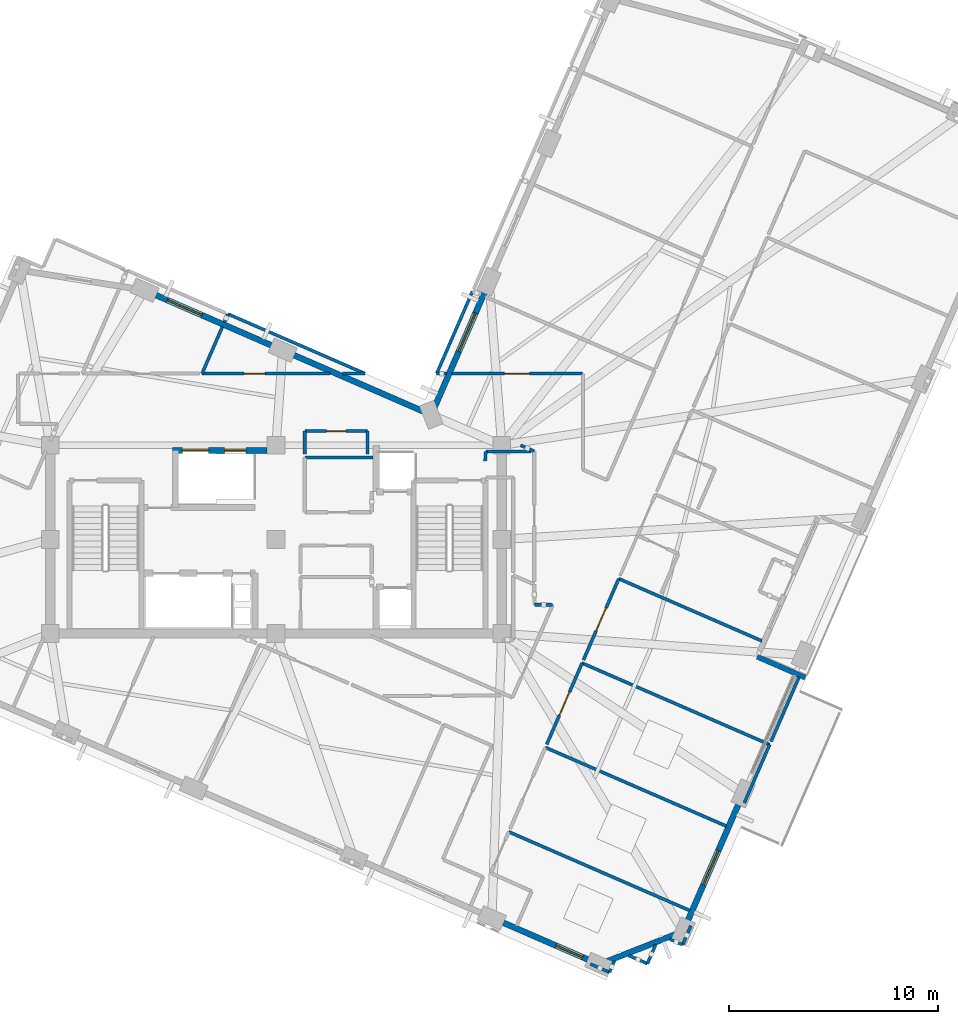
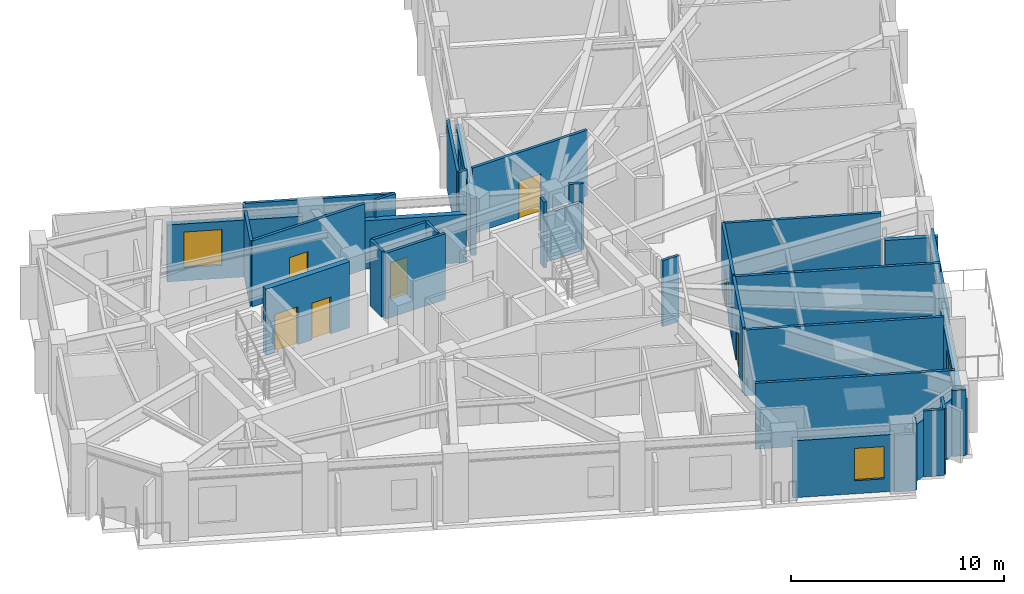
# One storey, part 7 of 12: 38 walls, 7 doors, 4 windows, 11 openings.
"""IFC4 building model written with IfcOpenShell, lengths in metres."""

from ifc_helpers import new_model, si_unit, direction, frame, frame_2d, origin, place, context, subcontext, project, spatial, rectangle, extrude, material, layer, layer_set, type_object, element, fill, save


model = new_model("IFC4")

# Units and contexts
model_context = context("Model", 3, precision=1e-05, world=origin(), true_north=direction((0.0, 1.0)))
body_context = subcontext(model_context, "Body", "Model", "MODEL_VIEW")
ifc_project = project(units=[si_unit("LENGTHUNIT", "METRE"), si_unit("AREAUNIT", "SQUARE_METRE"), si_unit("VOLUMEUNIT", "CUBIC_METRE"), si_unit("PLANEANGLEUNIT", "RADIAN"), si_unit("MASSUNIT", "GRAM", prefix="KILO")], contexts=[model_context])

# Site, building, storey
site_placement = place(None, origin())
site = spatial("IfcSite", under=ifc_project, at=site_placement, CompositionType="ELEMENT")
building_placement = place(site_placement, origin())
building = spatial("IfcBuilding", under=site, at=building_placement, Name="Gaonmaruhae Medical Tower", CompositionType="ELEMENT")
storey_placement = place(building_placement, frame((0.0, 0.0, 320.60009765625)))
storey = spatial("IfcBuildingStorey", under=building, at=storey_placement, Name="L77", CompositionType="ELEMENT", Elevation=320.60009765625)

# Wall
ifc_material_1 = material(Name="Precast concrete C45/55", Category="concrete")
ifc_layer_1 = layer(ifc_material_1, 0.239990234375)
ifc_layer_set_1 = layer_set([ifc_layer_1], Name="Precast concrete C45/55")
wall_type_1 = type_object("IfcWallType", Name="EW-240 Ribbon & Shelter Insulated Precast Wall", PredefinedType="SOLIDWALL", material=ifc_layer_set_1)
wall_1_placement = place(storey_placement, frame((47.81689453125, 6.687744140625, 0.0), z_axis=(0.0, 0.0, 1.0), x_axis=(0.917071608779, -0.398722540586, 0.0)))
element("IfcWall", 1, at=wall_1_placement, inside=storey, type_object=wall_type_1, Name="L77 Recessed Terrace Enclosure Wall TERL", PredefinedType="SOLIDWALL", context=body_context, shape_type="SweptSolid", body=[
    extrude(rectangle(XDim=2.5, YDim=0.239990234375, at=frame_2d((1.25, 0.0))), origin(), (0.0, 0.0, 1.0), 2.764892578125),
])

# Wall, opening, window
ifc_layer_2 = layer(ifc_material_1, 0.280029296875)
ifc_layer_set_2 = layer_set([ifc_layer_2], Name="Precast concrete C45/55")
wall_type_2 = type_object("IfcWallType", Name="EW-280 Upper Precast Masonry-Frame Facade Wall", PredefinedType="SOLIDWALL", material=ifc_layer_set_2)
wall_2_placement = place(storey_placement, frame((46.987548828125, -0.210205078125, 0.0), z_axis=(0.0, 0.0, 1.0), x_axis=(-0.398744230651, -0.917062178112, 0.0)))
wall_2 = element("IfcWall", 2, at=wall_2_placement, inside=storey, type_object=wall_type_2, Name="L77 Precast Masonry-Frame Wall S01-S02", PredefinedType="SOLIDWALL", context=body_context, shape_type="SweptSolid", body=[
    extrude(rectangle(XDim=6.405029296875, YDim=0.280029296875, at=frame_2d((3.20263671875, 0.0))), origin(), (0.0, 0.0, 1.0), 3.264892578125),
])
opening_1_placement = place(wall_2_placement, frame((2.58251953125, 0.0, 0.75)))
opening_1 = element("IfcOpeningElement", 3, at=opening_1_placement, cuts=wall_2, Name="Opening WN-04", PredefinedType="OPENING", context=body_context, shape_type="SweptSolid", body=[
    extrude(rectangle(XDim=1.800048828125, YDim=2.050048828125, at=frame_2d((0.89990234375, 1.02490234375))), frame((0.0, 0.14990234375, 0.0), z_axis=(0.0, -1.0, 0.0), x_axis=(1.0, 0.0, 0.0)), (0.0, 0.0, 1.0), 0.300048828125),
])
ifc_material_2 = material(Name="Anodised aluminium and Low-E double glazing", Category="aluminium")
window_type_1 = type_object("IfcWindowType", Name="WN-04 Clinic & Consult Punched Window 1800x2050", PartitioningType="SINGLE_PANEL", PredefinedType="WINDOW", material=ifc_material_2)
window_1_placement = place(opening_1_placement, origin())
window_1 = element("IfcWindow", 4, at=window_1_placement, inside=storey, type_object=window_type_1, Name="L77 Modular Facade Window S01", OverallHeight=2.050048828125, OverallWidth=1.800048828125, PartitioningType="SINGLE_PANEL", PredefinedType="WINDOW", context=body_context, shape_type="SweptSolid", body=[
    extrude(rectangle(XDim=1.800048828125, YDim=2.050048828125, at=frame_2d((0.89990234375, 1.02490234375))), frame((0.0, 0.030029296875, 0.0), z_axis=(0.0, -1.0, 0.0), x_axis=(1.0, 0.0, 0.0)), (0.0, 0.0, 1.0), 0.06005859375),
])
fill(opening_1, window_1)

wall_3_placement = place(storey_placement, frame((32.384765625, 18.619384765625, 0.0), z_axis=(0.0, 0.0, 1.0), x_axis=(0.398753668733, 0.917058074318, 0.0)))
wall_3 = element("IfcWall", 5, at=wall_3_placement, inside=storey, type_object=wall_type_2, Name="L77 Precast Masonry-Frame Wall EN02-KN01", PredefinedType="SOLIDWALL", context=body_context, shape_type="SweptSolid", body=[
    extrude(rectangle(XDim=6.155029296875, YDim=0.280029296875, at=frame_2d((3.07763671875, 0.0))), origin(), (0.0, 0.0, 1.0), 3.264892578125),
])
opening_2_placement = place(wall_3_placement, frame((2.90380859375, 0.0, 0.75)))
opening_2 = element("IfcOpeningElement", 6, at=opening_2_placement, cuts=wall_3, Name="Opening WN-02", PredefinedType="OPENING", context=body_context, shape_type="SweptSolid", body=[
    extrude(rectangle(XDim=2.0, YDim=1.949951171875, at=frame_2d((1.0, 0.97509765625))), frame((0.0, 0.14990234375, 0.0), z_axis=(0.0, -1.0, 0.0), x_axis=(1.0, 0.0, 0.0)), (0.0, 0.0, 1.0), 0.300048828125),
])
window_type_2 = type_object("IfcWindowType", Name="WN-02 Double-Bed Ward Punched Window 2000x1950", PartitioningType="SINGLE_PANEL", PredefinedType="WINDOW", material=ifc_material_2)
window_2_placement = place(opening_2_placement, origin())
window_2 = element("IfcWindow", 7, at=window_2_placement, inside=storey, type_object=window_type_2, Name="L77 Modular Facade Window EN02", OverallHeight=1.949951171875, OverallWidth=2.0, PartitioningType="SINGLE_PANEL", PredefinedType="WINDOW", context=body_context, shape_type="SweptSolid", body=[
    extrude(rectangle(XDim=2.0, YDim=1.949951171875, at=frame_2d((1.0, 0.97509765625))), frame((0.0, 0.030029296875, 0.0), z_axis=(0.0, -1.0, 0.0), x_axis=(1.0, 0.0, 0.0)), (0.0, 0.0, 1.0), 0.06005859375),
])
fill(opening_2, window_2)

# Wall
wall_4_placement = place(storey_placement, frame((25.483642578125, 21.186767578125, 0.0), z_axis=(0.0, 0.0, 1.0), x_axis=(0.917060568388, -0.398747932794, 0.0)))
element("IfcWall", 8, at=wall_4_placement, inside=storey, type_object=wall_type_2, Name="L77 Precast Masonry-Frame Wall KN01-NE01", PredefinedType="SOLIDWALL", context=body_context, shape_type="SweptSolid", body=[
    extrude(rectangle(XDim=6.954833984375, YDim=0.280029296875, at=frame_2d((3.4775390625, 0.0))), origin(), (0.0, 0.0, 1.0), 2.764892578125),
])

# Wall, opening, window
wall_5_placement = place(storey_placement, frame((18.880859375, 24.0576171875, 0.0), z_axis=(0.0, 0.0, 1.0), x_axis=(0.917070056253, -0.398726111414, 0.0)))
wall_5 = element("IfcWall", 9, at=wall_5_placement, inside=storey, type_object=wall_type_2, Name="L77 Precast Masonry-Frame Wall NE01-NE02", PredefinedType="SOLIDWALL", context=body_context, shape_type="SweptSolid", body=[
    extrude(rectangle(XDim=6.40478515625, YDim=0.280029296875, at=frame_2d((3.202392578125, 0.0))), origin(), (0.0, 0.0, 1.0), 3.264892578125),
])
opening_3_placement = place(wall_5_placement, frame((0.791259765625, 0.0, 0.75)))
opening_3 = element("IfcOpeningElement", 10, at=opening_3_placement, cuts=wall_5, Name="Opening WN-04", PredefinedType="OPENING", context=body_context, shape_type="SweptSolid", body=[
    extrude(rectangle(XDim=1.800048828125, YDim=2.050048828125, at=frame_2d((0.89990234375, 1.02490234375))), frame((0.0, 0.14990234375, 0.0), z_axis=(0.0, -1.0, 0.0), x_axis=(1.0, 0.0, 0.0)), (0.0, 0.0, 1.0), 0.300048828125),
])
window_3_placement = place(opening_3_placement, origin())
window_3 = element("IfcWindow", 11, at=window_3_placement, inside=storey, type_object=window_type_1, Name="L77 Modular Facade Window NE01", OverallHeight=2.050048828125, OverallWidth=1.800048828125, PartitioningType="SINGLE_PANEL", PredefinedType="WINDOW", context=body_context, shape_type="SweptSolid", body=[
    extrude(rectangle(XDim=1.800048828125, YDim=2.050048828125, at=frame_2d((0.89990234375, 1.02490234375))), frame((0.0, 0.030029296875, 0.0), z_axis=(0.0, -1.0, 0.0), x_axis=(1.0, 0.0, 0.0)), (0.0, 0.0, 1.0), 0.06005859375),
])
fill(opening_3, window_3)

wall_6_placement = place(storey_placement, frame((39.897216796875, -7.870849609375, 0.0), z_axis=(0.0, 0.0, 1.0), x_axis=(-0.917050667534, 0.398770702505, 0.0)))
wall_6 = element("IfcWall", 12, at=wall_6_placement, inside=storey, type_object=wall_type_2, Name="L77 Precast Masonry-Frame Wall W05-W06", PredefinedType="SOLIDWALL", context=body_context, shape_type="SweptSolid", body=[
    extrude(rectangle(XDim=4.8046875, YDim=0.280029296875, at=frame_2d((2.40234375, 0.0))), origin(), (0.0, 0.0, 1.0), 3.264892578125),
])
opening_4_placement = place(wall_6_placement, frame((0.469970703125, 0.0, 0.75)))
opening_4 = element("IfcOpeningElement", 13, at=opening_4_placement, cuts=wall_6, Name="Opening WN-03", PredefinedType="OPENING", context=body_context, shape_type="SweptSolid", body=[
    extrude(rectangle(XDim=1.39990234375, YDim=1.85009765625, at=frame_2d((0.699951171875, 0.925048828125))), frame((0.0, 0.14990234375, 0.0), z_axis=(0.0, -1.0, 0.0), x_axis=(1.0, 0.0, 0.0)), (0.0, 0.0, 1.0), 0.300048828125),
])
window_type_3 = type_object("IfcWindowType", Name="WN-03 Isolation Ward Punched Window 1400x1850", PartitioningType="SINGLE_PANEL", PredefinedType="WINDOW", material=ifc_material_2)
window_4_placement = place(opening_4_placement, origin())
window_4 = element("IfcWindow", 14, at=window_4_placement, inside=storey, type_object=window_type_3, Name="L77 Patient Bedroom Window L77-BR01", OverallHeight=1.85009765625, OverallWidth=1.39990234375, PartitioningType="SINGLE_PANEL", PredefinedType="WINDOW", context=body_context, shape_type="SweptSolid", body=[
    extrude(rectangle(XDim=1.39990234375, YDim=1.85009765625, at=frame_2d((0.699951171875, 0.925048828125))), frame((0.0, 0.030029296875, 0.0), z_axis=(0.0, -1.0, 0.0), x_axis=(1.0, 0.0, 0.0)), (0.0, 0.0, 1.0), 0.06005859375),
])
fill(opening_4, window_4)

# Walls
wall_7_placement = place(storey_placement, frame((43.9052734375, -6.593994140625, 0.0), z_axis=(0.0, 0.0, 1.0), x_axis=(-0.930406958637, -0.366528158974, 0.0)))
element("IfcWall", 15, at=wall_7_placement, inside=storey, type_object=wall_type_2, Name="L77 Precast Masonry-Frame Wall W06-S01", PredefinedType="SOLIDWALL", context=body_context, shape_type="SweptSolid", body=[
    extrude(rectangle(XDim=3.518310546875, YDim=0.280029296875, at=frame_2d((1.75927734375, 0.0))), origin(), (0.0, 0.0, 1.0), 3.264892578125),
])
ifc_material_3 = material(Name="Gypsum board partition", Category="gypsum")
ifc_layer_3 = layer(ifc_material_3, 0.14990234375)
ifc_layer_set_3 = layer_set([ifc_layer_3], Name="Gypsum board partition")
wall_type_3 = type_object("IfcWallType", Name="PW-150 Rated Clinical Corridor Partition", PredefinedType="PARTITIONING", material=ifc_layer_set_3)
wall_8_placement = place(storey_placement, frame((26.179931640625, 16.219970703125, 0.0), z_axis=(0.0, 0.0, 1.0), x_axis=(1.0, 0.0, 0.0)))
element("IfcWall", 16, at=wall_8_placement, inside=storey, type_object=wall_type_3, Name="L77 Interior Partition L77-RCL2-8", PredefinedType="PARTITIONING", context=body_context, shape_type="SweptSolid", body=[
    extrude(rectangle(XDim=3.260009765625, YDim=0.14990234375, at=frame_2d((1.6298828125, 0.0))), origin(), (0.0, 0.0, 1.0), 3.77978515625),
])
wall_9_placement = place(storey_placement, frame((26.179931640625, 16.3798828125, 0.0), z_axis=(0.0, 0.0, 1.0), x_axis=(0.0, 1.0, 0.0)))
element("IfcWall", 17, at=wall_9_placement, inside=storey, type_object=wall_type_3, Name="L77 Interior Partition L77-CS2-11", PredefinedType="PARTITIONING", context=body_context, shape_type="SweptSolid", body=[
    extrude(rectangle(XDim=1.10009765625, YDim=0.14990234375, at=frame_2d((0.550048828125, 0.0))), origin(), (0.0, 0.0, 1.0), 3.77978515625),
])

# Wall, opening, door
wall_10_placement = place(storey_placement, frame((26.179931640625, 17.47998046875, 0.0), z_axis=(0.0, 0.0, 1.0), x_axis=(1.0, 0.0, 0.0)))
wall_10 = element("IfcWall", 18, at=wall_10_placement, inside=storey, type_object=wall_type_3, Name="L77 Interior Partition L77-CS2-12", PredefinedType="PARTITIONING", context=body_context, shape_type="SweptSolid", body=[
    extrude(rectangle(XDim=3.0, YDim=0.14990234375, at=frame_2d((1.5, 0.0))), origin(), (0.0, 0.0, 1.0), 3.77978515625),
])
opening_5_placement = place(wall_10_placement, frame((1.0400390625, 0.0, 0.0)))
opening_5 = element("IfcOpeningElement", 19, at=opening_5_placement, cuts=wall_10, Name="Opening UD-01", PredefinedType="OPENING", context=body_context, shape_type="SweptSolid", body=[
    extrude(rectangle(XDim=0.919921875, YDim=2.10009765625, at=frame_2d((0.4599609375, 1.050048828125))), frame((0.0, 0.0849609375, 0.0), z_axis=(0.0, -1.0, 0.0), x_axis=(1.0, 0.0, 0.0)), (0.0, 0.0, 1.0), 0.169921875),
])
ifc_material_4 = material(Name="Powder-coated steel utility door", Category="steel")
door_type_1 = type_object("IfcDoorType", Name="UD-01 Toilet, Utility & Housekeeping Door 920x2100", OperationType="NOTDEFINED", PredefinedType="DOOR", material=ifc_material_4)
door_1_placement = place(opening_5_placement, origin())
door_1 = element("IfcDoor", 20, at=door_1_placement, inside=storey, type_object=door_type_1, Name="L77 Biomedical Telemetry Closet Door", OperationType="SINGLE_SWING_LEFT", OverallHeight=2.10009765625, OverallWidth=0.919921875, PredefinedType="DOOR", context=body_context, shape_type="SweptSolid", body=[
    extrude(rectangle(XDim=0.919921875, YDim=2.10009765625, at=frame_2d((0.4599609375, 1.050048828125))), frame((0.0, 0.02490234375, 0.0), z_axis=(0.0, -1.0, 0.0), x_axis=(1.0, 0.0, 0.0)), (0.0, 0.0, 1.0), 0.050048828125),
])
fill(opening_5, door_1)

# Walls
wall_11_placement = place(storey_placement, frame((29.179931640625, 17.47998046875, 0.0), z_axis=(0.0, 0.0, 1.0), x_axis=(0.0, -1.0, 0.0)))
element("IfcWall", 21, at=wall_11_placement, inside=storey, type_object=wall_type_3, Name="L77 Interior Partition L77-CS2-13", PredefinedType="PARTITIONING", context=body_context, shape_type="SweptSolid", body=[
    extrude(rectangle(XDim=1.10009765625, YDim=0.14990234375, at=frame_2d((0.550048828125, 0.0))), origin(), (0.0, 0.0, 1.0), 3.77978515625),
])
wall_12_placement = place(storey_placement, frame((35.931884765625, -1.68701171875, 0.0), z_axis=(0.0, 0.0, 1.0), x_axis=(0.917117358566, -0.398617298443, 0.0)))
element("IfcWall", 22, at=wall_12_placement, inside=storey, type_object=wall_type_3, Name="L77 Interior Partition L77-BR01-16", PredefinedType="PARTITIONING", context=body_context, shape_type="SweptSolid", body=[
    extrude(rectangle(XDim=9.43505859375, YDim=0.14990234375, at=frame_2d((4.717529296875, 0.0))), origin(), (0.0, 0.0, 1.0), 3.77978515625),
])
wall_13_placement = place(storey_placement, frame((44.64501953125, -6.176025390625, 0.0), z_axis=(0.0, 0.0, 1.0), x_axis=(-0.399173799485, -0.916875279307, 0.0)))
element("IfcWall", 23, at=wall_13_placement, inside=storey, type_object=wall_type_3, Name="L77 Interior Partition L77-BR01-17", PredefinedType="PARTITIONING", context=body_context, shape_type="SweptSolid", body=[
    extrude(rectangle(XDim=0.996826171875, YDim=0.14990234375, at=frame_2d((0.49853515625, 0.0))), origin(), (0.0, 0.0, 1.0), 3.264892578125),
])
wall_14_placement = place(storey_placement, frame((44.2470703125, -7.090087890625, 0.0), z_axis=(0.0, 0.0, 1.0), x_axis=(-0.917070056253, 0.398726111414, 0.0)))
element("IfcWall", 24, at=wall_14_placement, inside=storey, type_object=wall_type_3, Name="L77 Interior Partition L77-BR01-18", PredefinedType="PARTITIONING", context=body_context, shape_type="SweptSolid", body=[
    extrude(rectangle(XDim=0.66748046875, YDim=0.14990234375, at=frame_2d((0.333740234375, 0.0))), origin(), (0.0, 0.0, 1.0), 3.77978515625),
])
wall_15_placement = place(storey_placement, frame((42.9609375, -7.090087890625, 0.0), z_axis=(0.0, 0.0, 1.0), x_axis=(-0.399196346623, -0.916865462782, 0.0)))
element("IfcWall", 25, at=wall_15_placement, inside=storey, type_object=wall_type_3, Name="L77 Interior Partition L77-BR01-19", PredefinedType="PARTITIONING", context=body_context, shape_type="SweptSolid", body=[
    extrude(rectangle(XDim=0.987060546875, YDim=0.14990234375, at=frame_2d((0.49365234375, 0.0))), origin(), (0.0, 0.0, 1.0), 3.77978515625),
])
wall_16_placement = place(storey_placement, frame((42.56689453125, -7.9951171875, 0.0), z_axis=(0.0, 0.0, 1.0), x_axis=(-0.917188054541, 0.398454605454, 0.0)))
element("IfcWall", 26, at=wall_16_placement, inside=storey, type_object=wall_type_3, Name="L77 Interior Partition L77-BR01-20", PredefinedType="PARTITIONING", context=body_context, shape_type="SweptSolid", body=[
    extrude(rectangle(XDim=0.986572265625, YDim=0.14990234375, at=frame_2d((0.4931640625, 0.0))), origin(), (0.0, 0.0, 1.0), 3.77978515625),
])
wall_17_placement = place(storey_placement, frame((40.986083984375, -7.867919921875, 0.0), z_axis=(0.0, 0.0, 1.0), x_axis=(-0.398984716546, -0.916957575879, 0.0)))
element("IfcWall", 27, at=wall_17_placement, inside=storey, type_object=wall_type_3, Name="L77 Interior Partition L77-BR01-21", PredefinedType="PARTITIONING", context=body_context, shape_type="SweptSolid", body=[
    extrude(rectangle(XDim=0.5869140625, YDim=0.14990234375, at=frame_2d((0.29345703125, 0.0))), origin(), (0.0, 0.0, 1.0), 3.77978515625),
])
wall_18_placement = place(storey_placement, frame((40.751953125, -8.406005859375, 0.0), z_axis=(0.0, 0.0, 1.0), x_axis=(-0.916875279307, 0.399173799485, 0.0)))
element("IfcWall", 28, at=wall_18_placement, inside=storey, type_object=wall_type_3, Name="L77 Interior Partition L77-BR01-22", PredefinedType="PARTITIONING", context=body_context, shape_type="SweptSolid", body=[
    extrude(rectangle(XDim=0.996826171875, YDim=0.14990234375, at=frame_2d((0.49853515625, 0.0))), origin(), (0.0, 0.0, 1.0), 3.264892578125),
])
wall_19_placement = place(storey_placement, frame((37.68603515625, 2.347900390625, 0.0), z_axis=(0.0, 0.0, 1.0), x_axis=(0.917079517358, -0.398704350167, 0.0)))
element("IfcWall", 29, at=wall_19_placement, inside=storey, type_object=wall_type_3, Name="L77 Interior Partition L77-SUP01-25", PredefinedType="PARTITIONING", context=body_context, shape_type="SweptSolid", body=[
    extrude(rectangle(XDim=9.435546875, YDim=0.14990234375, at=frame_2d((4.7177734375, 0.0))), origin(), (0.0, 0.0, 1.0), 3.77978515625),
])

# Wall, opening, door
wall_20_placement = place(storey_placement, frame((37.75, 2.4951171875, 0.0), z_axis=(0.0, 0.0, 1.0), x_axis=(0.398827178626, 0.917026107365, 0.0)))
wall_20 = element("IfcWall", 30, at=wall_20_placement, inside=storey, type_object=wall_type_3, Name="L77 Interior Partition L77-SUP02-26", PredefinedType="PARTITIONING", context=body_context, shape_type="SweptSolid", body=[
    extrude(rectangle(XDim=4.23974609375, YDim=0.14990234375, at=frame_2d((2.119873046875, 0.0))), origin(), (0.0, 0.0, 1.0), 3.77978515625),
])
opening_6_placement = place(wall_20_placement, frame((1.52001953125, 0.0, 0.0)))
opening_6 = element("IfcOpeningElement", 31, at=opening_6_placement, cuts=wall_20, Name="Opening CD-02", PredefinedType="OPENING", context=body_context, shape_type="SweptSolid", body=[
    extrude(rectangle(XDim=1.199951171875, YDim=2.14990234375, at=frame_2d((0.60009765625, 1.074951171875))), frame((0.0, 0.0849609375, 0.0), z_axis=(0.0, -1.0, 0.0), x_axis=(1.0, 0.0, 0.0)), (0.0, 0.0, 1.0), 0.169921875),
])
ifc_material_5 = material(Name="Antimicrobial laminate timber fire door", Category="wood")
door_type_2 = type_object("IfcDoorType", Name="CD-02 Clinical Treatment & Procedure Door 1200x2150", OperationType="NOTDEFINED", PredefinedType="DOOR", material=ifc_material_5)
door_2_placement = place(opening_6_placement, origin())
door_2 = element("IfcDoor", 32, at=door_2_placement, inside=storey, type_object=door_type_2, Name="L77 Clinical Biomedical Charting Office Door", OperationType="SINGLE_SWING_RIGHT", OverallHeight=2.14990234375, OverallWidth=1.199951171875, PredefinedType="DOOR", context=body_context, shape_type="SweptSolid", body=[
    extrude(rectangle(XDim=1.199951171875, YDim=2.14990234375, at=frame_2d((0.60009765625, 1.074951171875))), frame((0.0, 0.02490234375, 0.0), z_axis=(0.0, -1.0, 0.0), x_axis=(1.0, 0.0, 0.0)), (0.0, 0.0, 1.0), 0.050048828125),
])
fill(opening_6, door_2)

# Walls
wall_21_placement = place(storey_placement, frame((39.44091796875, 6.383056640625, 0.0), z_axis=(0.0, 0.0, 1.0), x_axis=(0.917084740053, -0.398692336973, 0.0)))
element("IfcWall", 33, at=wall_21_placement, inside=storey, type_object=wall_type_3, Name="L77 Interior Partition L77-SUP02-27", PredefinedType="PARTITIONING", context=body_context, shape_type="SweptSolid", body=[
    extrude(rectangle(XDim=9.77978515625, YDim=0.14990234375, at=frame_2d((4.889892578125, 0.0))), origin(), (0.0, 0.0, 1.0), 3.77978515625),
])
wall_22_placement = place(storey_placement, frame((48.409912109375, 2.48388671875, 0.0), z_axis=(0.0, 0.0, 1.0), x_axis=(-0.398637944736, -0.917108384553, 0.0)))
element("IfcWall", 34, at=wall_22_placement, inside=storey, type_object=wall_type_3, Name="L77 Interior Partition L77-SUP02-28", PredefinedType="PARTITIONING", context=body_context, shape_type="SweptSolid", body=[
    extrude(rectangle(XDim=3.03759765625, YDim=0.14990234375, at=frame_2d((1.518798828125, 0.0))), origin(), (0.0, 0.0, 1.0), 3.264892578125),
])
wall_23_placement = place(storey_placement, frame((49.81494140625, 5.715087890625, 0.0), z_axis=(0.0, 0.0, 1.0), x_axis=(-0.398582802327, -0.917132351239, 0.0)))
element("IfcWall", 35, at=wall_23_placement, inside=storey, type_object=wall_type_3, Name="L77 Interior Partition L77-SUP03-29", PredefinedType="PARTITIONING", context=body_context, shape_type="SweptSolid", body=[
    extrude(rectangle(XDim=3.364013671875, YDim=0.14990234375, at=frame_2d((1.68212890625, 0.0))), origin(), (0.0, 0.0, 1.0), 3.264892578125),
])

# Wall, opening, door
wall_24_placement = place(storey_placement, frame((39.5048828125, 6.530029296875, 0.0), z_axis=(0.0, 0.0, 1.0), x_axis=(0.398597683129, 0.917125883946, 0.0)))
wall_24 = element("IfcWall", 36, at=wall_24_placement, inside=storey, type_object=wall_type_3, Name="L77 Interior Partition L77-SUP03-30", PredefinedType="PARTITIONING", context=body_context, shape_type="SweptSolid", body=[
    extrude(rectangle(XDim=4.240234375, YDim=0.14990234375, at=frame_2d((2.1201171875, 0.0))), origin(), (0.0, 0.0, 1.0), 3.77978515625),
])
opening_7_placement = place(wall_24_placement, frame((1.520263671875, 0.0, 0.0)))
opening_7 = element("IfcOpeningElement", 37, at=opening_7_placement, cuts=wall_24, Name="Opening CD-02", PredefinedType="OPENING", context=body_context, shape_type="SweptSolid", body=[
    extrude(rectangle(XDim=1.199951171875, YDim=2.14990234375, at=frame_2d((0.60009765625, 1.074951171875))), frame((0.0, 0.0849609375, 0.0), z_axis=(0.0, -1.0, 0.0), x_axis=(1.0, 0.0, 0.0)), (0.0, 0.0, 1.0), 0.169921875),
])
door_3_placement = place(opening_7_placement, origin())
door_3 = element("IfcDoor", 38, at=door_3_placement, inside=storey, type_object=door_type_2, Name="L77 Clinical Biomedical Charting Office Door", OperationType="SINGLE_SWING_LEFT", OverallHeight=2.14990234375, OverallWidth=1.199951171875, PredefinedType="DOOR", context=body_context, shape_type="SweptSolid", body=[
    extrude(rectangle(XDim=1.199951171875, YDim=2.14990234375, at=frame_2d((0.60009765625, 1.074951171875))), frame((0.0, 0.02490234375, 0.0), z_axis=(0.0, -1.0, 0.0), x_axis=(1.0, 0.0, 0.0)), (0.0, 0.0, 1.0), 0.050048828125),
])
fill(opening_7, door_3)

# Walls
wall_25_placement = place(storey_placement, frame((41.195068359375, 10.4189453125, 0.0), z_axis=(0.0, 0.0, 1.0), x_axis=(0.917043017742, -0.398788294224, 0.0)))
element("IfcWall", 39, at=wall_25_placement, inside=storey, type_object=wall_type_3, Name="L77 Interior Partition L77-SUP03-31", PredefinedType="PARTITIONING", context=body_context, shape_type="SweptSolid", body=[
    extrude(rectangle(XDim=7.46533203125, YDim=0.14990234375, at=frame_2d((3.732666015625, 0.0))), origin(), (0.0, 0.0, 1.0), 3.77978515625),
])
wall_26_placement = place(storey_placement, frame((37.160888671875, 9.177001953125, 0.0), z_axis=(0.0, 0.0, 1.0), x_axis=(0.999967192089, -0.008100292897, 0.0)))
element("IfcWall", 40, at=wall_26_placement, inside=storey, type_object=wall_type_3, Name="L77 Interior Partition L77-IE01-85", PredefinedType="PARTITIONING", context=body_context, shape_type="SweptSolid", body=[
    extrude(rectangle(XDim=0.8740234375, YDim=0.14990234375, at=frame_2d((0.43701171875, 0.0))), origin(), (0.0, 0.0, 1.0), 3.77978515625),
])
wall_27_placement = place(storey_placement, frame((34.803955078125, 16.050048828125, 0.0), z_axis=(0.0, 0.0, 1.0), x_axis=(0.077896068279, 0.996961484987, 0.0)))
element("IfcWall", 41, at=wall_27_placement, inside=storey, type_object=wall_type_3, Name="L77 Interior Partition L77-IE02-90", PredefinedType="PARTITIONING", context=body_context, shape_type="SweptSolid", body=[
    extrude(rectangle(XDim=0.451416015625, YDim=0.14990234375, at=frame_2d((0.2255859375, 0.0))), origin(), (0.0, 0.0, 1.0), 3.77978515625),
])
wall_28_placement = place(storey_placement, frame((34.839111328125, 16.5, 0.0), z_axis=(0.0, 0.0, 1.0), x_axis=(1.0, 0.0, 0.0)))
element("IfcWall", 42, at=wall_28_placement, inside=storey, type_object=wall_type_3, Name="L77 Interior Partition L77-IE02-91", PredefinedType="PARTITIONING", context=body_context, shape_type="SweptSolid", body=[
    extrude(rectangle(XDim=2.15087890625, YDim=0.14990234375, at=frame_2d((1.075439453125, 0.0))), origin(), (0.0, 0.0, 1.0), 2.764892578125),
])
wall_29_placement = place(storey_placement, frame((36.5, 16.799072265625, 0.0), z_axis=(0.0, 0.0, 1.0), x_axis=(0.916867333156, -0.399192050762, 0.0)))
element("IfcWall", 43, at=wall_29_placement, inside=storey, type_object=wall_type_3, Name="L77 Interior Partition L77-IE02-92", PredefinedType="PARTITIONING", context=body_context, shape_type="SweptSolid", body=[
    extrude(rectangle(XDim=0.708740234375, YDim=0.14990234375, at=frame_2d((0.3544921875, 0.0))), origin(), (0.0, 0.0, 1.0), 3.77978515625),
])

# Wall, opening, door
wall_30_placement = place(storey_placement, frame((39.449951171875, 20.22998046875, 0.0), z_axis=(0.0, 0.0, 1.0), x_axis=(-1.0, 0.0, 0.0)))
wall_30 = element("IfcWall", 44, at=wall_30_placement, inside=storey, type_object=wall_type_3, Name="L77 Interior Partition L77-IE03-96", PredefinedType="PARTITIONING", context=body_context, shape_type="SweptSolid", body=[
    extrude(rectangle(XDim=6.239990234375, YDim=0.14990234375, at=frame_2d((3.1201171875, 0.0))), origin(), (0.0, 0.0, 1.0), 3.77978515625),
])
opening_8_placement = place(wall_30_placement, frame((2.52001953125, 0.0, 0.0)))
opening_8 = element("IfcOpeningElement", 45, at=opening_8_placement, cuts=wall_30, Name="Opening CD-02", PredefinedType="OPENING", context=body_context, shape_type="SweptSolid", body=[
    extrude(rectangle(XDim=1.199951171875, YDim=2.14990234375, at=frame_2d((0.60009765625, 1.074951171875))), frame((0.0, 0.0849609375, 0.0), z_axis=(0.0, -1.0, 0.0), x_axis=(1.0, 0.0, 0.0)), (0.0, 0.0, 1.0), 0.169921875),
])
door_4_placement = place(opening_8_placement, origin())
door_4 = element("IfcDoor", 46, at=door_4_placement, inside=storey, type_object=door_type_2, Name="L77 Clean Medication Preparation Room Door", OperationType="SINGLE_SWING_LEFT", OverallHeight=2.14990234375, OverallWidth=1.199951171875, PredefinedType="DOOR", context=body_context, shape_type="SweptSolid", body=[
    extrude(rectangle(XDim=1.199951171875, YDim=2.14990234375, at=frame_2d((0.60009765625, 1.074951171875))), frame((0.0, 0.02490234375, 0.0), z_axis=(0.0, -1.0, 0.0), x_axis=(1.0, 0.0, 0.0)), (0.0, 0.0, 1.0), 0.050048828125),
])
fill(opening_8, door_4)

# Walls
wall_31_placement = place(storey_placement, frame((32.9599609375, 20.22998046875, 0.0), z_axis=(0.0, 0.0, 1.0), x_axis=(-1.0, 0.0, 0.0)))
element("IfcWall", 47, at=wall_31_placement, inside=storey, type_object=wall_type_3, Name="L77 Interior Partition L77-IE03-97", PredefinedType="PARTITIONING", context=body_context, shape_type="SweptSolid", body=[
    extrude(rectangle(XDim=0.474853515625, YDim=0.14990234375, at=frame_2d((0.2373046875, 0.0))), origin(), (0.0, 0.0, 1.0), 3.77978515625),
])
wall_32_placement = place(storey_placement, frame((32.485107421875, 20.22998046875, 0.0), z_axis=(0.0, 0.0, 1.0), x_axis=(0.398784305347, 0.917044752348, 0.0)))
element("IfcWall", 48, at=wall_32_placement, inside=storey, type_object=wall_type_3, Name="L77 Interior Partition L77-IE03-98", PredefinedType="PARTITIONING", context=body_context, shape_type="SweptSolid", body=[
    extrude(rectangle(XDim=4.295166015625, YDim=0.14990234375, at=frame_2d((2.1474609375, 0.0))), origin(), (0.0, 0.0, 1.0), 3.77978515625),
])
wall_33_placement = place(storey_placement, frame((21.264892578125, 20.22998046875, 0.0), z_axis=(0.0, 0.0, 1.0), x_axis=(0.398842956111, 0.91701924536, 0.0)))
element("IfcWall", 49, at=wall_33_placement, inside=storey, type_object=wall_type_3, Name="L77 Interior Partition L77-IN01-117", PredefinedType="PARTITIONING", context=body_context, shape_type="SweptSolid", body=[
    extrude(rectangle(XDim=2.44482421875, YDim=0.14990234375, at=frame_2d((1.222412109375, 0.0))), origin(), (0.0, 0.0, 1.0), 3.77978515625),
])
wall_34_placement = place(storey_placement, frame((22.3310546875, 22.68310546875, 0.0), z_axis=(0.0, 0.0, 1.0), x_axis=(0.399464528742, 0.916748651636, 0.0)))
element("IfcWall", 50, at=wall_34_placement, inside=storey, type_object=wall_type_3, Name="L77 Interior Partition L77-IN01-118", PredefinedType="PARTITIONING", context=body_context, shape_type="SweptSolid", body=[
    extrude(rectangle(XDim=0.43505859375, YDim=0.14990234375, at=frame_2d((0.217529296875, 0.0))), origin(), (0.0, 0.0, 1.0), 3.77978515625),
])
wall_35_placement = place(storey_placement, frame((22.5048828125, 23.08203125, 0.0), z_axis=(0.0, 0.0, 1.0), x_axis=(0.917034231322, -0.398808498634, 0.0)))
element("IfcWall", 51, at=wall_35_placement, inside=storey, type_object=wall_type_3, Name="L77 Interior Partition L77-IN01-119", PredefinedType="PARTITIONING", context=body_context, shape_type="SweptSolid", body=[
    extrude(rectangle(XDim=7.1513671875, YDim=0.14990234375, at=frame_2d((3.57568359375, 0.0))), origin(), (0.0, 0.0, 1.0), 3.77978515625),
])
wall_36_placement = place(storey_placement, frame((29.06298828125, 20.22998046875, 0.0), z_axis=(0.0, 0.0, 1.0), x_axis=(-1.0, 0.0, 0.0)))
element("IfcWall", 52, at=wall_36_placement, inside=storey, type_object=wall_type_3, Name="L77 Interior Partition L77-IN01-120", PredefinedType="PARTITIONING", context=body_context, shape_type="SweptSolid", body=[
    extrude(rectangle(XDim=1.091064453125, YDim=0.14990234375, at=frame_2d((0.54541015625, 0.0))), origin(), (0.0, 0.0, 1.0), 3.77978515625),
])

# Wall, opening, door
wall_37_placement = place(storey_placement, frame((27.39501953125, 20.22998046875, 0.0), z_axis=(0.0, 0.0, 1.0), x_axis=(-1.0, 0.0, 0.0)))
wall_37 = element("IfcWall", 53, at=wall_37_placement, inside=storey, type_object=wall_type_3, Name="L77 Interior Partition L77-IN01-121", PredefinedType="PARTITIONING", context=body_context, shape_type="SweptSolid", body=[
    extrude(rectangle(XDim=6.130126953125, YDim=0.14990234375, at=frame_2d((3.06494140625, 0.0))), origin(), (0.0, 0.0, 1.0), 3.77978515625),
])
opening_9_placement = place(wall_37_placement, frame((3.11328125, 0.0, 0.0)))
opening_9 = element("IfcOpeningElement", 54, at=opening_9_placement, cuts=wall_37, Name="Opening CD-01", PredefinedType="OPENING", context=body_context, shape_type="SweptSolid", body=[
    extrude(rectangle(XDim=1.0, YDim=2.1201171875, at=frame_2d((0.5, 1.06005859375))), frame((0.0, 0.0849609375, 0.0), z_axis=(0.0, -1.0, 0.0), x_axis=(1.0, 0.0, 0.0)), (0.0, 0.0, 1.0), 0.169921875),
])
door_type_3 = type_object("IfcDoorType", Name="CD-01 Consultation & Physician Office Door 1000x2120", OperationType="NOTDEFINED", PredefinedType="DOOR", material=ifc_material_5)
door_5_placement = place(opening_9_placement, origin())
door_5 = element("IfcDoor", 55, at=door_5_placement, inside=storey, type_object=door_type_3, Name="L77 Physician Consultation Office Door", OperationType="SINGLE_SWING_RIGHT", OverallHeight=2.1201171875, OverallWidth=1.0, PredefinedType="DOOR", context=body_context, shape_type="SweptSolid", body=[
    extrude(rectangle(XDim=1.0, YDim=2.1201171875, at=frame_2d((0.5, 1.06005859375))), frame((0.0, 0.02490234375, 0.0), z_axis=(0.0, -1.0, 0.0), x_axis=(1.0, 0.0, 0.0)), (0.0, 0.0, 1.0), 0.050048828125),
])
fill(opening_9, door_5)

# Wall, openings, doors
ifc_material_6 = material(Name="Concrete C50/60", Category="concrete")
ifc_layer_4 = layer(ifc_material_6, 0.300048828125)
ifc_layer_set_4 = layer_set([ifc_layer_4], Name="Concrete C50/60")
wall_type_4 = type_object("IfcWallType", Name="SW-300 Stair & Lift Hoistway Shaft Wall", PredefinedType="SOLIDWALL", material=ifc_layer_set_4)
wall_38_placement = place(storey_placement, frame((19.85009765625, 16.550048828125, 0.0), z_axis=(0.0, 0.0, 1.0), x_axis=(1.0, 0.0, 0.0)))
wall_38 = element("IfcWall", 56, at=wall_38_placement, inside=storey, type_object=wall_type_4, Name="L77 Core Shear Wall CSW-NB", PredefinedType="SOLIDWALL", context=body_context, shape_type="SweptSolid", body=[
    extrude(rectangle(XDim=4.52490234375, YDim=0.300048828125, at=frame_2d((2.262451171875, 0.0))), origin(), (0.0, 0.0, 1.0), 3.77978515625),
])
opening_10_placement = place(wall_38_placement, frame((0.47509765625, 0.0, 0.0)))
opening_10 = element("IfcOpeningElement", 57, at=opening_10_placement, cuts=wall_38, Name="Opening LD-F1", PredefinedType="OPENING", context=body_context, shape_type="SweptSolid", body=[
    extrude(rectangle(XDim=1.25, YDim=2.179931640625, at=frame_2d((0.625, 1.08984375))), frame((0.0, 0.16015625, 0.0), z_axis=(0.0, -1.0, 0.0), x_axis=(1.0, 0.0, 0.0)), (0.0, 0.0, 1.0), 0.320068359375),
])
opening_11_placement = place(wall_38_placement, frame((2.489990234375, 0.0, 0.0)))
opening_11 = element("IfcOpeningElement", 58, at=opening_11_placement, cuts=wall_38, Name="Opening LD-S1", PredefinedType="OPENING", context=body_context, shape_type="SweptSolid", body=[
    extrude(rectangle(XDim=1.02001953125, YDim=2.1201171875, at=frame_2d((0.510009765625, 1.06005859375))), frame((0.0, 0.16015625, 0.0), z_axis=(0.0, -1.0, 0.0), x_axis=(1.0, 0.0, 0.0)), (0.0, 0.0, 1.0), 0.320068359375),
])
ifc_material_7 = material(Name="Brushed stainless steel 316L landing door", Category="steel")
door_type_4 = type_object("IfcDoorType", Name="LD-F1 Firefighting & Bed Lift Sliding Landing Door 1250x2180", OperationType="NOTDEFINED", PredefinedType="DOOR", material=ifc_material_7)
door_6_placement = place(opening_10_placement, origin())
door_6 = element("IfcDoor", 59, at=door_6_placement, inside=storey, type_object=door_type_4, Name="L77 Service/Bed Lift Landing Door BDL-01", OperationType="DOUBLE_DOOR_SLIDING", OverallHeight=2.179931640625, OverallWidth=1.25, PredefinedType="DOOR", context=body_context, shape_type="SweptSolid", body=[
    extrude(rectangle(XDim=1.25, YDim=2.179931640625, at=frame_2d((0.625, 1.08984375))), frame((0.0, 0.02490234375, 0.0), z_axis=(0.0, -1.0, 0.0), x_axis=(1.0, 0.0, 0.0)), (0.0, 0.0, 1.0), 0.050048828125),
])
fill(opening_10, door_6)
ifc_material_8 = material(Name="Brushed stainless steel 304 landing door", Category="steel")
door_type_5 = type_object("IfcDoorType", Name="LD-S1 Service Lift Sliding Landing Door 1020x2120", OperationType="NOTDEFINED", PredefinedType="DOOR", material=ifc_material_8)
door_7_placement = place(opening_11_placement, origin())
door_7 = element("IfcDoor", 60, at=door_7_placement, inside=storey, type_object=door_type_5, Name="L77 Service/Bed Lift Landing Door SVL-01", OperationType="SLIDING_TO_LEFT", OverallHeight=2.1201171875, OverallWidth=1.02001953125, PredefinedType="DOOR", context=body_context, shape_type="SweptSolid", body=[
    extrude(rectangle(XDim=1.02001953125, YDim=2.1201171875, at=frame_2d((0.510009765625, 1.06005859375))), frame((0.0, 0.02490234375, 0.0), z_axis=(0.0, -1.0, 0.0), x_axis=(1.0, 0.0, 0.0)), (0.0, 0.0, 1.0), 0.050048828125),
])
fill(opening_11, door_7)

save(model, "model.ifc")
